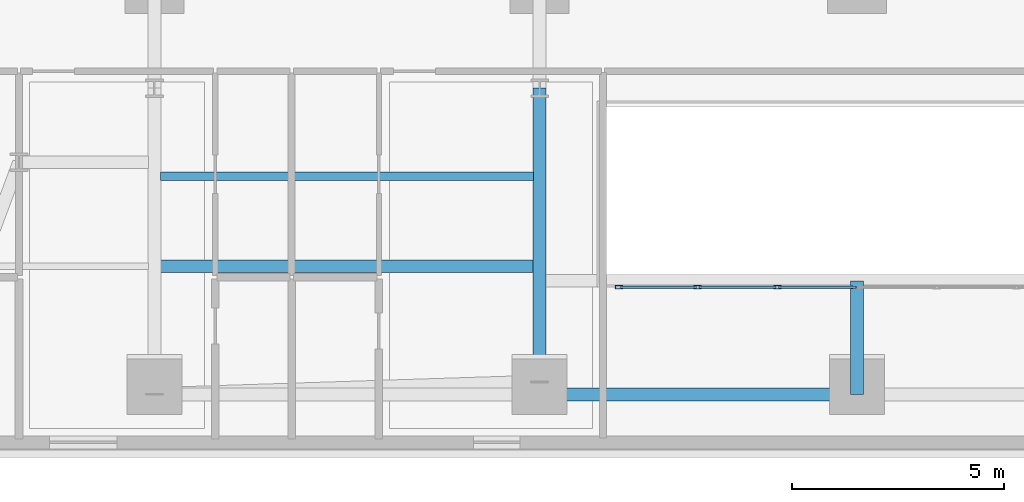
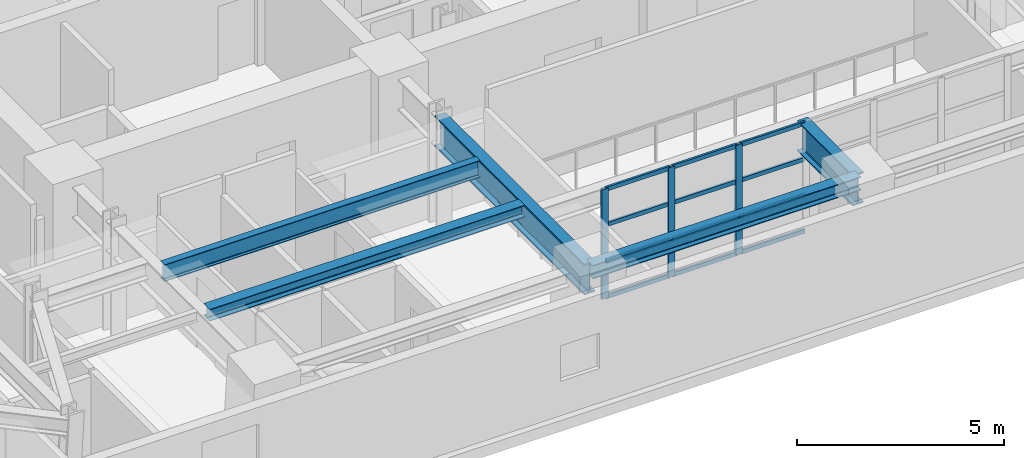
# One storey, part 2 of 16: 15 members, 5 beams, 1 element without a shape of its own.
"""IFC4 building model written with IfcOpenShell, lengths in metres."""

from ifc_helpers import new_model, si_unit, direction, frame, origin, origin_2d, place, context, subcontext, project, spatial, hollow_rectangle, i_section, extrude, material, layer, layer_set, material_profile, profile_set, type_object, element, aggregate, save


model = new_model("IFC4")

# Units and contexts
model_context = context("Model", 3, precision=1e-05, world=origin(), true_north=direction((0.0, 1.0)))
body_context = subcontext(model_context, "Body", "Model", "MODEL_VIEW")
ifc_project = project(units=[si_unit("LENGTHUNIT", "METRE"), si_unit("AREAUNIT", "SQUARE_METRE"), si_unit("VOLUMEUNIT", "CUBIC_METRE"), si_unit("PLANEANGLEUNIT", "RADIAN"), si_unit("MASSUNIT", "GRAM", prefix="KILO")], contexts=[model_context])

# Site, building, storey
site_placement = place(None, origin())
site = spatial("IfcSite", under=ifc_project, at=site_placement, CompositionType="ELEMENT")
building_placement = place(site_placement, origin())
building = spatial("IfcBuilding", under=site, at=building_placement, Name="Zarnavel Station Tower", CompositionType="ELEMENT")
storey_placement = place(building_placement, frame((0.0, 0.0, 86.300048828125)))
storey = spatial("IfcBuildingStorey", under=building, at=storey_placement, Name="L23", CompositionType="ELEMENT", Elevation=86.300048828125)

# Curtain wall, members
ifc_material_1 = material(Name="Aluminium Dark Anodised and Solar-Control Glass", Category="aluminium")
ifc_layer = layer(ifc_material_1, 0.179931640625)
ifc_layer_set = layer_set([ifc_layer], Name="CWS3")
curtain_wall_type = type_object("IfcCurtainWallType", Name="CWS3", PredefinedType="NOTDEFINED", material=ifc_layer_set)
curtain_wall_placement = place(storey_placement, origin())
curtain_wall = element("IfcCurtainWall", 1, at=curtain_wall_placement, inside=storey, type_object=curtain_wall_type, Name="L23 Curtain Wall CWS3-L23-AS", PredefinedType="NOTDEFINED")
ifc_material_2 = material(Name="Steel S355J2 (Black Fluoropolymer Coated)", Category="steel")
ifc_material_profile_1 = material_profile(ifc_material_2, hollow_rectangle(XDim=0.080078125, YDim=0.179931640625, WallThickness=0.00634765625, at=origin_2d()), Name="RHS180x80x6.3")
ifc_profile_set_1 = profile_set([ifc_material_profile_1], Name="Steel S355J2 (Black Fluoropolymer Coated)")
member_type_1 = type_object("IfcMemberType", Name="CWS3_MUL", PredefinedType="MULLION", material=ifc_profile_set_1)
member_1_placement = place(storey_placement, frame((23.179931640625, 20.64990234375, 0.0), z_axis=(0.0, 0.0, 1.0), x_axis=(0.0, 1.0, 0.0)))
member_1 = element("IfcMember", 2, at=member_1_placement, type_object=member_type_1, Name="CW3 mullion 1", PredefinedType="MULLION", context=body_context, shape_type="SweptSolid", body=[
    extrude(hollow_rectangle(XDim=0.080078125, YDim=0.179931640625, WallThickness=0.00634765625, at=origin_2d()), origin(), (0.0, 0.0, 1.0), 3.239990234375),
])
member_2_placement = place(storey_placement, frame((25.033447265625, 20.64990234375, 0.0), z_axis=(0.0, 0.0, 1.0), x_axis=(0.0, 1.0, 0.0)))
member_2 = element("IfcMember", 3, at=member_2_placement, type_object=member_type_1, Name="CW3 mullion 2", PredefinedType="MULLION", context=body_context, shape_type="SweptSolid", body=[
    extrude(hollow_rectangle(XDim=0.080078125, YDim=0.179931640625, WallThickness=0.00634765625, at=origin_2d()), origin(), (0.0, 0.0, 1.0), 3.239990234375),
])
member_3_placement = place(storey_placement, frame((26.916748046875, 20.64990234375, 0.0), z_axis=(0.0, 0.0, 1.0), x_axis=(0.0, 1.0, 0.0)))
member_3 = element("IfcMember", 4, at=member_3_placement, type_object=member_type_1, Name="CW3 mullion 3", PredefinedType="MULLION", context=body_context, shape_type="SweptSolid", body=[
    extrude(hollow_rectangle(XDim=0.080078125, YDim=0.179931640625, WallThickness=0.00634765625, at=origin_2d()), origin(), (0.0, 0.0, 1.0), 3.239990234375),
])
ifc_material_3 = material(Name="Steel S355J2 (Black Fluoropolymer Coated)", Category="steel")
ifc_material_profile_2 = material_profile(ifc_material_3, hollow_rectangle(XDim=0.06005859375, YDim=0.1201171875, WallThickness=0.0048828125, at=origin_2d()), Name="RHS120x60x5")
ifc_profile_set_2 = profile_set([ifc_material_profile_2], Name="Steel S355J2 (Black Fluoropolymer Coated)")
member_type_2 = type_object("IfcMemberType", Name="CWS3_TRN", PredefinedType="USERDEFINED", material=ifc_profile_set_2)
member_4_placement = place(storey_placement, frame((23.2099609375, 20.64990234375, 0.030029296875), z_axis=(1.0, 0.0, 0.0), x_axis=(0.0, 1.0, 0.0)))
member_4 = element("IfcMember", 5, at=member_4_placement, type_object=member_type_2, Name="CW3 transom 1.1", ObjectType="TRANSOM", PredefinedType="USERDEFINED", context=body_context, shape_type="SweptSolid", body=[
    extrude(hollow_rectangle(XDim=0.06005859375, YDim=0.1201171875, WallThickness=0.0048828125, at=origin_2d()), origin(), (0.0, 0.0, 1.0), 1.79345703125),
])
member_5_placement = place(storey_placement, frame((23.2099609375, 20.64990234375, 1.079833984375), z_axis=(1.0, 0.0, 0.0), x_axis=(0.0, 1.0, 0.0)))
member_5 = element("IfcMember", 6, at=member_5_placement, type_object=member_type_2, Name="CW3 transom 1.2", ObjectType="TRANSOM", PredefinedType="USERDEFINED", context=body_context, shape_type="SweptSolid", body=[
    extrude(hollow_rectangle(XDim=0.06005859375, YDim=0.1201171875, WallThickness=0.0048828125, at=origin_2d()), origin(), (0.0, 0.0, 1.0), 1.79345703125),
])
member_6_placement = place(storey_placement, frame((23.2099609375, 20.64990234375, 2.159912109375), z_axis=(1.0, 0.0, 0.0), x_axis=(0.0, 1.0, 0.0)))
member_6 = element("IfcMember", 7, at=member_6_placement, type_object=member_type_2, Name="CW3 transom 1.3", ObjectType="TRANSOM", PredefinedType="USERDEFINED", context=body_context, shape_type="SweptSolid", body=[
    extrude(hollow_rectangle(XDim=0.06005859375, YDim=0.1201171875, WallThickness=0.0048828125, at=origin_2d()), origin(), (0.0, 0.0, 1.0), 1.79345703125),
])
member_7_placement = place(storey_placement, frame((23.2099609375, 20.64990234375, 3.2099609375), z_axis=(1.0, 0.0, 0.0), x_axis=(0.0, 1.0, 0.0)))
member_7 = element("IfcMember", 8, at=member_7_placement, type_object=member_type_2, Name="CW3 transom 1.4", ObjectType="TRANSOM", PredefinedType="USERDEFINED", context=body_context, shape_type="SweptSolid", body=[
    extrude(hollow_rectangle(XDim=0.06005859375, YDim=0.1201171875, WallThickness=0.0048828125, at=origin_2d()), origin(), (0.0, 0.0, 1.0), 1.79345703125),
])
member_8_placement = place(storey_placement, frame((25.063232421875, 20.64990234375, 0.030029296875), z_axis=(1.0, 0.0, 0.0), x_axis=(0.0, 1.0, 0.0)))
member_8 = element("IfcMember", 9, at=member_8_placement, type_object=member_type_2, Name="CW3 transom 2.1", ObjectType="TRANSOM", PredefinedType="USERDEFINED", context=body_context, shape_type="SweptSolid", body=[
    extrude(hollow_rectangle(XDim=0.06005859375, YDim=0.1201171875, WallThickness=0.0048828125, at=origin_2d()), origin(), (0.0, 0.0, 1.0), 1.823486328125),
])
member_9_placement = place(storey_placement, frame((25.063232421875, 20.64990234375, 1.079833984375), z_axis=(1.0, 0.0, 0.0), x_axis=(0.0, 1.0, 0.0)))
member_9 = element("IfcMember", 10, at=member_9_placement, type_object=member_type_2, Name="CW3 transom 2.2", ObjectType="TRANSOM", PredefinedType="USERDEFINED", context=body_context, shape_type="SweptSolid", body=[
    extrude(hollow_rectangle(XDim=0.06005859375, YDim=0.1201171875, WallThickness=0.0048828125, at=origin_2d()), origin(), (0.0, 0.0, 1.0), 1.823486328125),
])
member_10_placement = place(storey_placement, frame((25.063232421875, 20.64990234375, 2.159912109375), z_axis=(1.0, 0.0, 0.0), x_axis=(0.0, 1.0, 0.0)))
member_10 = element("IfcMember", 11, at=member_10_placement, type_object=member_type_2, Name="CW3 transom 2.3", ObjectType="TRANSOM", PredefinedType="USERDEFINED", context=body_context, shape_type="SweptSolid", body=[
    extrude(hollow_rectangle(XDim=0.06005859375, YDim=0.1201171875, WallThickness=0.0048828125, at=origin_2d()), origin(), (0.0, 0.0, 1.0), 1.823486328125),
])
member_11_placement = place(storey_placement, frame((25.063232421875, 20.64990234375, 3.2099609375), z_axis=(1.0, 0.0, 0.0), x_axis=(0.0, 1.0, 0.0)))
member_11 = element("IfcMember", 12, at=member_11_placement, type_object=member_type_2, Name="CW3 transom 2.4", ObjectType="TRANSOM", PredefinedType="USERDEFINED", context=body_context, shape_type="SweptSolid", body=[
    extrude(hollow_rectangle(XDim=0.06005859375, YDim=0.1201171875, WallThickness=0.0048828125, at=origin_2d()), origin(), (0.0, 0.0, 1.0), 1.823486328125),
])
member_12_placement = place(storey_placement, frame((26.94677734375, 20.64990234375, 0.030029296875), z_axis=(1.0, 0.0, 0.0), x_axis=(0.0, 1.0, 0.0)))
member_12 = element("IfcMember", 13, at=member_12_placement, type_object=member_type_2, Name="CW3 transom 3.1", ObjectType="TRANSOM", PredefinedType="USERDEFINED", context=body_context, shape_type="SweptSolid", body=[
    extrude(hollow_rectangle(XDim=0.06005859375, YDim=0.1201171875, WallThickness=0.0048828125, at=origin_2d()), origin(), (0.0, 0.0, 1.0), 1.8232421875),
])
member_13_placement = place(storey_placement, frame((26.94677734375, 20.64990234375, 1.079833984375), z_axis=(1.0, 0.0, 0.0), x_axis=(0.0, 1.0, 0.0)))
member_13 = element("IfcMember", 14, at=member_13_placement, type_object=member_type_2, Name="CW3 transom 3.2", ObjectType="TRANSOM", PredefinedType="USERDEFINED", context=body_context, shape_type="SweptSolid", body=[
    extrude(hollow_rectangle(XDim=0.06005859375, YDim=0.1201171875, WallThickness=0.0048828125, at=origin_2d()), origin(), (0.0, 0.0, 1.0), 1.8232421875),
])
member_14_placement = place(storey_placement, frame((26.94677734375, 20.64990234375, 2.159912109375), z_axis=(1.0, 0.0, 0.0), x_axis=(0.0, 1.0, 0.0)))
member_14 = element("IfcMember", 15, at=member_14_placement, type_object=member_type_2, Name="CW3 transom 3.3", ObjectType="TRANSOM", PredefinedType="USERDEFINED", context=body_context, shape_type="SweptSolid", body=[
    extrude(hollow_rectangle(XDim=0.06005859375, YDim=0.1201171875, WallThickness=0.0048828125, at=origin_2d()), origin(), (0.0, 0.0, 1.0), 1.8232421875),
])
member_15_placement = place(storey_placement, frame((26.94677734375, 20.64990234375, 3.2099609375), z_axis=(1.0, 0.0, 0.0), x_axis=(0.0, 1.0, 0.0)))
member_15 = element("IfcMember", 16, at=member_15_placement, type_object=member_type_2, Name="CW3 transom 3.4", ObjectType="TRANSOM", PredefinedType="USERDEFINED", context=body_context, shape_type="SweptSolid", body=[
    extrude(hollow_rectangle(XDim=0.06005859375, YDim=0.1201171875, WallThickness=0.0048828125, at=origin_2d()), origin(), (0.0, 0.0, 1.0), 1.8232421875),
])
aggregate(curtain_wall, [member_1, member_2, member_3, member_4, member_5, member_6, member_7, member_8, member_9, member_10, member_11, member_12, member_13, member_14, member_15])

# Beams
ifc_material_4 = material(Name="Steel S355J2", Category="steel")
ifc_material_profile_3 = material_profile(ifc_material_4, i_section(OverallWidth=0.300048828125, OverallDepth=0.39990234375, WebThickness=0.013427734375, FlangeThickness=0.02392578125, FilletRadius=0.027099609375, at=origin_2d()), Name="HEB400")
ifc_profile_set_3 = profile_set([ifc_material_profile_3], Name="Steel S355J2")
beam_type_1 = type_object("IfcBeamType", Name="EB_HEB400", PredefinedType="SPANDREL", material=ifc_profile_set_3)
beam_1_placement = place(storey_placement, frame((21.300048828125, 18.114013671875, 3.0400390625), z_axis=(1.0, 0.0, 0.0), x_axis=(0.0, 1.0, 0.0)))
element("IfcBeam", 17, at=beam_1_placement, inside=storey, type_object=beam_type_1, Name="L23 South Raked Spandrel 2", PredefinedType="SPANDREL", context=body_context, shape_type="SweptSolid", body=[
    extrude(i_section(OverallWidth=0.300048828125, OverallDepth=0.39990234375, WebThickness=0.013427734375, FlangeThickness=0.02392578125, FilletRadius=0.027099609375, at=origin_2d()), origin(), (0.0, 0.0, 1.0), 7.5),
])
ifc_material_5 = material(Name="Steel S355J2", Category="steel")
ifc_material_profile_4 = material_profile(ifc_material_5, i_section(OverallWidth=0.300048828125, OverallDepth=0.35009765625, WebThickness=0.010009765625, FlangeThickness=0.017578125, FilletRadius=0.027099609375, at=origin_2d()), Name="HEA360")
ifc_profile_set_4 = profile_set([ifc_material_profile_4], Name="Steel S355J2")
beam_type_2 = type_object("IfcBeamType", Name="FB_HEA360", PredefinedType="BEAM", material=ifc_profile_set_4)
beam_2_placement = place(storey_placement, frame((12.344970703125, 21.142578125, 3.06494140625), z_axis=(1.0, 0.0, 0.0), x_axis=(0.0, 1.0, 0.0)))
element("IfcBeam", 18, at=beam_2_placement, inside=storey, type_object=beam_type_2, Name="L23 West Bay Beam 1", PredefinedType="BEAM", context=body_context, shape_type="SweptSolid", body=[
    extrude(i_section(OverallWidth=0.300048828125, OverallDepth=0.35009765625, WebThickness=0.010009765625, FlangeThickness=0.017578125, FilletRadius=0.027099609375, at=origin_2d()), origin(), (0.0, 0.0, 1.0), 8.81005859375),
])
ifc_material_6 = material(Name="Steel S355J2", Category="steel")
ifc_material_profile_5 = material_profile(ifc_material_6, i_section(OverallWidth=0.199951171875, OverallDepth=0.5, WebThickness=0.01025390625, FlangeThickness=0.01611328125, FilletRadius=0.02099609375, at=origin_2d()), Name="IPE500")
ifc_profile_set_5 = profile_set([ifc_material_profile_5], Name="Steel S355J2")
beam_type_3 = type_object("IfcBeamType", Name="FB_IPE500", PredefinedType="BEAM", material=ifc_profile_set_5)
beam_3_placement = place(storey_placement, frame((12.344970703125, 23.271240234375, 2.989990234375), z_axis=(1.0, 0.0, 0.0), x_axis=(0.0, 1.0, 0.0)))
element("IfcBeam", 19, at=beam_3_placement, inside=storey, type_object=beam_type_3, Name="L23 West Bay Beam 2", PredefinedType="BEAM", context=body_context, shape_type="SweptSolid", body=[
    extrude(i_section(OverallWidth=0.199951171875, OverallDepth=0.5, WebThickness=0.01025390625, FlangeThickness=0.01611328125, FilletRadius=0.02099609375, at=origin_2d()), origin(), (0.0, 0.0, 1.0), 8.81005859375),
])
ifc_material_7 = material(Name="Steel S460M", Category="steel")
ifc_material_profile_6 = material_profile(ifc_material_7, i_section(OverallWidth=0.302001953125, OverallDepth=0.909912109375, WebThickness=0.02099609375, FlangeThickness=0.0400390625, FilletRadius=0.030029296875, at=origin_2d()), Name="HEM900")
ifc_profile_set_6 = profile_set([ifc_material_profile_6], Name="Steel S460M")
beam_type_4 = type_object("IfcBeamType", Name="TG_HEM900", PredefinedType="USERDEFINED", material=ifc_profile_set_6)
beam_4_placement = place(storey_placement, frame((21.300048828125, 18.114013671875, 2.784912109375), z_axis=(0.0, 1.0, 0.0), x_axis=(-1.0, 0.0, 0.0)))
element("IfcBeam", 20, at=beam_4_placement, inside=storey, type_object=beam_type_4, Name="L23 South-Zone NS Girder 2", ObjectType="GIRDER", PredefinedType="USERDEFINED", context=body_context, shape_type="SweptSolid", body=[
    extrude(i_section(OverallWidth=0.302001953125, OverallDepth=0.909912109375, WebThickness=0.02099609375, FlangeThickness=0.0400390625, FilletRadius=0.030029296875, at=origin_2d()), origin(), (0.0, 0.0, 1.0), 7.236083984375),
])
beam_5_placement = place(storey_placement, frame((28.800048828125, 18.114013671875, 2.784912109375), z_axis=(0.0, 1.0, 0.0), x_axis=(-1.0, 0.0, 0.0)))
element("IfcBeam", 21, at=beam_5_placement, inside=storey, type_object=beam_type_4, Name="L23 Central Atrium-South Girder", ObjectType="GIRDER", PredefinedType="USERDEFINED", context=body_context, shape_type="SweptSolid", body=[
    extrude(i_section(OverallWidth=0.302001953125, OverallDepth=0.909912109375, WebThickness=0.02099609375, FlangeThickness=0.0400390625, FilletRadius=0.030029296875, at=origin_2d()), origin(), (0.0, 0.0, 1.0), 2.68603515625),
])

save(model, "model.ifc")
